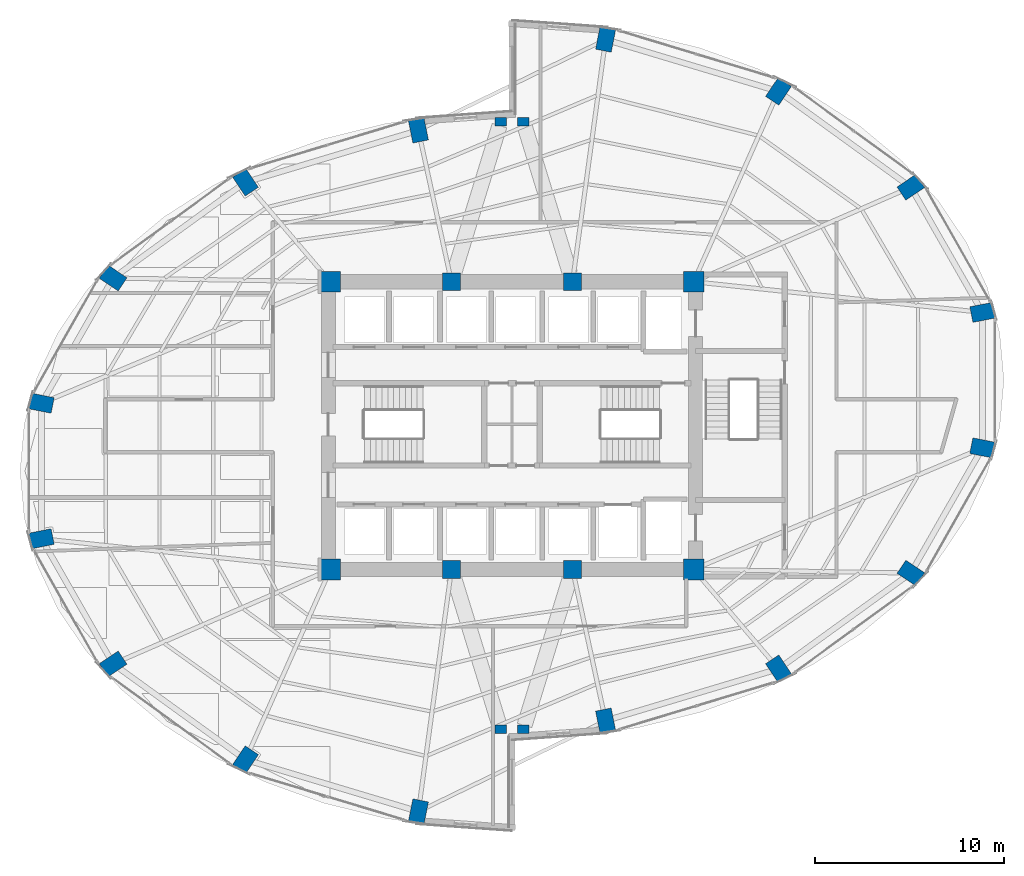
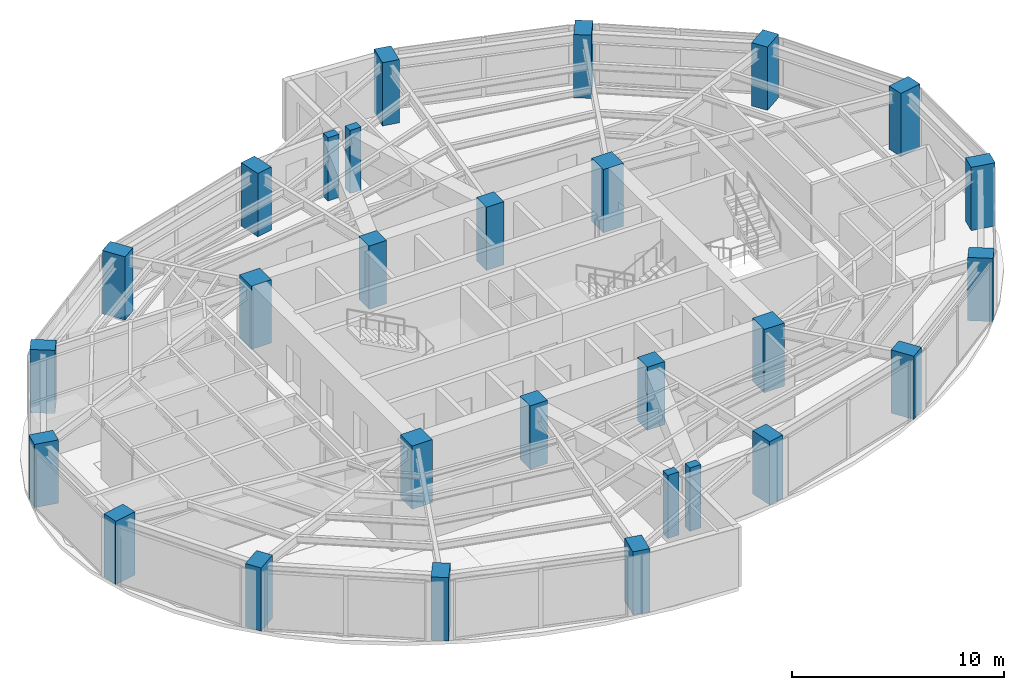
# One storey, part 1 of 23: 28 columns.
"""IFC4 building model written with IfcOpenShell, lengths in metres."""

from ifc_helpers import new_model, si_unit, direction, frame, origin, origin_2d, place, context, subcontext, project, spatial, rectangle, extrude, material, material_profile, profile_set, type_object, element, save


model = new_model("IFC4")

# Units and contexts
model_context = context("Model", 3, precision=1e-05, world=origin(), true_north=direction((0.0, 1.0)))
body_context = subcontext(model_context, "Body", "Model", "MODEL_VIEW")
ifc_project = project(units=[si_unit("LENGTHUNIT", "METRE"), si_unit("AREAUNIT", "SQUARE_METRE"), si_unit("VOLUMEUNIT", "CUBIC_METRE"), si_unit("PLANEANGLEUNIT", "RADIAN"), si_unit("MASSUNIT", "GRAM", prefix="KILO")], contexts=[model_context])

# Site, building, storey
site_placement = place(None, origin())
site = spatial("IfcSite", under=ifc_project, at=site_placement, CompositionType="ELEMENT")
building_placement = place(site_placement, origin())
building = spatial("IfcBuilding", under=site, at=building_placement, Name="Lazwardi Medical Tower", CompositionType="ELEMENT")
storey_placement = place(building_placement, frame((0.0, 0.0, 92.68798828125)))
storey = spatial("IfcBuildingStorey", under=building, at=storey_placement, Name="L23", CompositionType="ELEMENT", Elevation=92.68798828125)

# Columns
ifc_material_1 = material(Name="Concrete C80/95", Category="concrete")
ifc_material_profile_1 = material_profile(ifc_material_1, rectangle(XDim=1.10009765625, YDim=1.10009765625, at=origin_2d()), Name="RC 1100x1100")
ifc_profile_set_1 = profile_set([ifc_material_profile_1], Name="Concrete C80/95")
column_type_1 = type_object("IfcColumnType", Name="COL-CC-L", PredefinedType="COLUMN", material=ifc_profile_set_1)
for number, where, z_axis, x_axis, name in (
    (1, (26.39990234375, 20.39990234375, 0.0), (0.0, 0.0, 1.0), (1.0, 0.0, 0.0), "Core column CC-01 CC1 L23"),
    (2, (45.60009765625, 20.39990234375, 0.0), (0.0, 0.0, 1.0), (1.0, 0.0, 0.0), "Core column CC-01 CC4 L23"),
    (3, (45.60009765625, 35.60009765625, 0.0), (0.0, 0.0, 1.0), (1.0, 0.0, 0.0), "Core column CC-01 CC5 L23"),
    (4, (26.39990234375, 35.60009765625, 0.0), (0.0, 0.0, 1.0), (1.0, 0.0, 0.0), "Core column CC-01 CC8 L23"),
):
    element("IfcColumn", number, at=place(storey_placement, frame(where, z_axis=z_axis, x_axis=x_axis)), inside=storey, type_object=column_type_1, Name=name, PredefinedType="COLUMN", context=body_context, shape_type="SweptSolid", body=[
        extrude(rectangle(XDim=1.10009765625, YDim=1.10009765625, at=origin_2d()), origin(), (0.0, 0.0, 1.0), 3.64794921875),
    ])
ifc_material_2 = material(Name="Concrete C70/85", Category="concrete")
ifc_material_profile_2 = material_profile(ifc_material_2, rectangle(XDim=0.949951171875, YDim=0.949951171875, at=origin_2d()), Name="RC 950x950")
ifc_profile_set_2 = profile_set([ifc_material_profile_2], Name="Concrete C70/85")
column_type_2 = type_object("IfcColumnType", Name="COL-CC-M", PredefinedType="COLUMN", material=ifc_profile_set_2)
for number, where, z_axis, x_axis, name in (
    (5, (32.800048828125, 20.39990234375, 0.0), (0.0, 0.0, 1.0), (1.0, 0.0, 0.0), "Core column CC-02 CC2 L23"),
    (6, (39.199951171875, 20.39990234375, 0.0), (0.0, 0.0, 1.0), (1.0, 0.0, 0.0), "Core column CC-02 CC3 L23"),
    (7, (39.199951171875, 35.60009765625, 0.0), (0.0, 0.0, 1.0), (1.0, 0.0, 0.0), "Core column CC-02 CC6 L23"),
    (8, (32.800048828125, 35.60009765625, 0.0), (0.0, 0.0, 1.0), (1.0, 0.0, 0.0), "Core column CC-02 CC7 L23"),
):
    element("IfcColumn", number, at=place(storey_placement, frame(where, z_axis=z_axis, x_axis=x_axis)), inside=storey, type_object=column_type_2, Name=name, PredefinedType="COLUMN", context=body_context, shape_type="SweptSolid", body=[
        extrude(rectangle(XDim=0.949951171875, YDim=0.949951171875, at=origin_2d()), origin(), (0.0, 0.0, 1.0), 3.64794921875),
    ])
ifc_material_profile_3 = material_profile(ifc_material_2, rectangle(XDim=1.199951171875, YDim=0.840087890625, at=origin_2d()), Name="CFT-RECT 1200x840")
ifc_profile_set_3 = profile_set([ifc_material_profile_3], Name="Concrete C70/85")
column_type_3 = type_object("IfcColumnType", Name="COL-MC-Z2", PredefinedType="COLUMN", material=ifc_profile_set_3)
for number, where, z_axis, x_axis, name in (
    (9, (40.945556640625, 12.402587890625, 0.0), (0.0, 0.0, 1.0), (0.195090322016, -0.980785280403, 0.0), "Mega column MC-04 M01 L23"),
    (10, (50.083740234375, 15.142578125, 0.0), (0.0, 0.0, 1.0), (0.55557023302, -0.831469612303, 0.0), "Mega column MC-04 M02 L23"),
    (11, (57.077880859375, 20.205322265625, 0.0), (0.0, 0.0, 1.0), (0.831469612303, -0.55557023302, 0.0), "Mega column MC-04 M03 L23"),
    (12, (60.86279296875, 26.820068359375, 0.0), (0.0, 0.0, 1.0), (0.980785280403, -0.195090322016, 0.0), "Mega column MC-04 M04 L23"),
    (13, (60.86279296875, 33.97998046875, 0.0), (0.0, 0.0, 1.0), (0.980785280403, 0.195090322016, 0.0), "Mega column MC-04 M05 L23"),
    (14, (57.077880859375, 40.5947265625, 0.0), (0.0, 0.0, 1.0), (0.831469612303, 0.55557023302, 0.0), "Mega column MC-04 M06 L23"),
    (15, (50.083740234375, 45.657470703125, 0.0), (0.0, 0.0, 1.0), (0.55557023302, 0.831469612303, 0.0), "Mega column MC-04 M07 L23"),
    (16, (40.945556640625, 48.3974609375, 0.0), (0.0, 0.0, 1.0), (0.195090322016, 0.980785280403, 0.0), "Mega column MC-04 M08 L23"),
    (17, (31.054443359375, 43.597412109375, 0.0), (0.0, 0.0, 1.0), (-0.195090322016, 0.980785280403, 0.0), "Mega column MC-04 M09 L23"),
    (18, (21.916259765625, 40.857421875, 0.0), (0.0, 0.0, 1.0), (-0.55557023302, 0.831469612303, 0.0), "Mega column MC-04 M10 L23"),
    (19, (14.922119140625, 35.794677734375, 0.0), (0.0, 0.0, 1.0), (-0.831469612303, 0.55557023302, 0.0), "Mega column MC-04 M11 L23"),
    (20, (11.13720703125, 29.179931640625, 0.0), (0.0, 0.0, 1.0), (-0.980785280403, 0.195090322016, 0.0), "Mega column MC-04 M12 L23"),
    (21, (11.13720703125, 22.02001953125, 0.0), (0.0, 0.0, 1.0), (-0.980785280403, -0.195090322016, 0.0), "Mega column MC-04 M13 L23"),
    (22, (14.922119140625, 15.4052734375, 0.0), (0.0, 0.0, 1.0), (-0.831469612303, -0.55557023302, 0.0), "Mega column MC-04 M14 L23"),
    (23, (21.916259765625, 10.342529296875, 0.0), (0.0, 0.0, 1.0), (-0.55557023302, -0.831469612303, 0.0), "Mega column MC-04 M15 L23"),
    (24, (31.054443359375, 7.6025390625, 0.0), (0.0, 0.0, 1.0), (-0.195090322016, -0.980785280403, 0.0), "Mega column MC-04 M16 L23"),
):
    element("IfcColumn", number, at=place(storey_placement, frame(where, z_axis=z_axis, x_axis=x_axis)), inside=storey, type_object=column_type_3, Name=name, PredefinedType="COLUMN", context=body_context, shape_type="SweptSolid", body=[
        extrude(rectangle(XDim=1.199951171875, YDim=0.840087890625, at=origin_2d()), origin(), (0.0, 0.0, 1.0), 3.64794921875),
    ])
ifc_material_3 = material(Name="Concrete C60/75", Category="concrete")
ifc_material_profile_4 = material_profile(ifc_material_3, rectangle(XDim=0.60009765625, YDim=0.449951171875, at=origin_2d()), Name="RC 600x450")
ifc_profile_set_4 = profile_set([ifc_material_profile_4], Name="Concrete C60/75")
column_type_4 = type_object("IfcColumnType", Name="COL-PL-IW", PredefinedType="PILASTER", material=ifc_profile_set_4)
for number, where, z_axis, x_axis, name in (
    (25, (35.39990234375, 44.050048828125, 0.0), (0.0, 0.0, 1.0), (1.0, 0.0, 0.0), "Iwan pilaster column PL-C1 PL1 L23"),
    (26, (36.60009765625, 44.050048828125, 0.0), (0.0, 0.0, 1.0), (1.0, 0.0, 0.0), "Iwan pilaster column PL-C1 PL2 L23"),
    (27, (35.39990234375, 11.949951171875, 0.0), (0.0, 0.0, 1.0), (1.0, 0.0, 0.0), "Iwan pilaster column PL-C1 PL3 L23"),
    (28, (36.60009765625, 11.949951171875, 0.0), (0.0, 0.0, 1.0), (1.0, 0.0, 0.0), "Iwan pilaster column PL-C1 PL4 L23"),
):
    element("IfcColumn", number, at=place(storey_placement, frame(where, z_axis=z_axis, x_axis=x_axis)), inside=storey, type_object=column_type_4, Name=name, PredefinedType="PILASTER", context=body_context, shape_type="SweptSolid", body=[
        extrude(rectangle(XDim=0.60009765625, YDim=0.449951171875, at=origin_2d()), origin(), (0.0, 0.0, 1.0), 3.64794921875),
    ])

save(model, "model.ifc")
